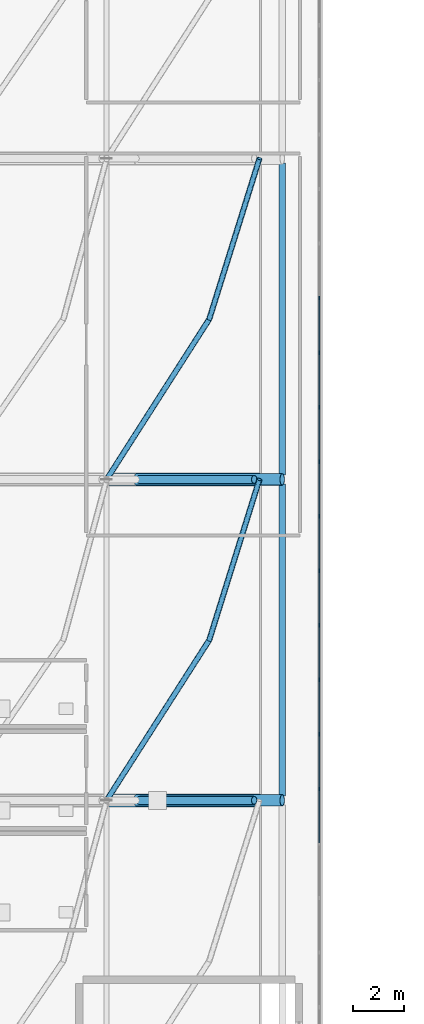
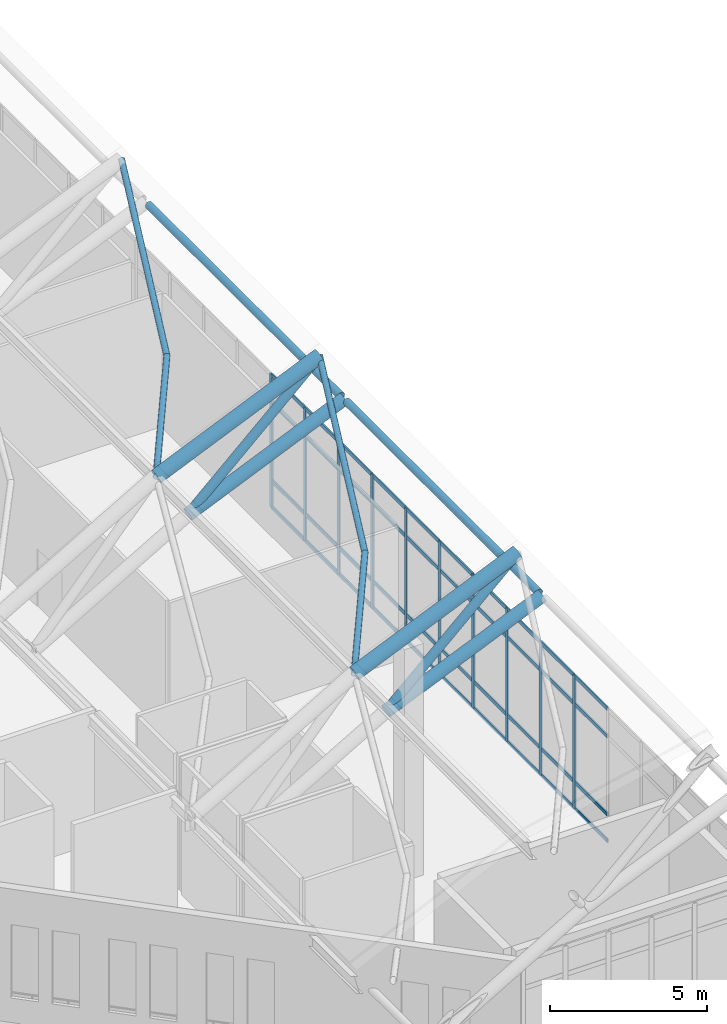
# One storey, part 8 of 42: 62 members, 1 element without a shape of its own.
"""IFC4 building model written with IfcOpenShell, lengths in metres."""

from ifc_helpers import new_model, si_unit, derived_unit, direction, frame, origin, origin_2d, place, context, subcontext, project, spatial, rectangle, hollow_circle, extrude, material, layer, layer_set, material_profile, profile_set, type_object, element, aggregate, save


model = new_model("IFC4")

# Units and contexts
model_context = context("Model", 3, precision=1e-05, world=origin(), true_north=direction((0.0, 1.0)))
body_context = subcontext(model_context, "Body", "Model", "MODEL_VIEW")
ifc_project = project(units=[si_unit("LENGTHUNIT", "METRE"), si_unit("AREAUNIT", "SQUARE_METRE"), si_unit("VOLUMEUNIT", "CUBIC_METRE"), si_unit("PLANEANGLEUNIT", "RADIAN"), si_unit("MASSUNIT", "GRAM", prefix="KILO"), derived_unit("THERMALTRANSMITTANCEUNIT", [(si_unit("MASSUNIT", "GRAM", prefix="KILO"), 1), (si_unit("TIMEUNIT", "SECOND"), -3), (si_unit("THERMODYNAMICTEMPERATUREUNIT", "KELVIN"), -1)])], contexts=[model_context])

# Site, building, storey
site_placement = place(None, origin())
site = spatial("IfcSite", under=ifc_project, at=site_placement, CompositionType="ELEMENT")
building_placement = place(site_placement, origin())
building = spatial("IfcBuilding", under=site, at=building_placement, Name="Valcora Ridge Arena", CompositionType="ELEMENT")
storey_placement = place(building_placement, frame((0.0, 0.0, 26.39990234375)))
storey = spatial("IfcBuildingStorey", under=building, at=storey_placement, Name="L05", CompositionType="ELEMENT", Elevation=26.39990234375)

# Curtain wall, members
ifc_material_1 = material(Name="Anodised dark bronze architectural aluminium 6063-T6", Category="aluminium")
ifc_layer = layer(ifc_material_1, 0.14990234375, Name="Anodised dark bronze architectural aluminium 6063-T6")
ifc_layer_set = layer_set([ifc_layer], Name="Anodised dark bronze architectural aluminium 6063-T6")
curtain_wall_type = type_object("IfcCurtainWallType", Name="TY-CURTAINWALL-CW-V1-SKY-878X52", PredefinedType="NOTDEFINED", material=ifc_layer_set)
curtain_wall_placement = place(storey_placement, origin())
curtain_wall = element("IfcCurtainWall", 1, at=curtain_wall_placement, inside=storey, type_object=curtain_wall_type, Name="CW-V1-SKY-878X52 CW-0171", PredefinedType="NOTDEFINED")
ifc_material_profile_1 = material_profile(ifc_material_1, rectangle(XDim=0.050048828125, YDim=0.14990234375, at=origin_2d()), Name="ALU MULLION 50x150")
ifc_profile_set_1 = profile_set([ifc_material_profile_1], Name="Anodised dark bronze architectural aluminium 6063-T6")
member_type_1 = type_object("IfcMemberType", Name="TY-MEM-CWM-50x150", PredefinedType="MULLION", material=ifc_profile_set_1)
member_1_placement = place(storey_placement, frame((38.35009765625, 33.048828125, 0.0), z_axis=(0.0, 0.0, 1.0), x_axis=(-1.0, 0.0, 0.0)))
member_1 = element("IfcMember", 2, at=member_1_placement, type_object=member_type_1, Name="CW-0171/CWM-50x150/M06", PredefinedType="MULLION", context=body_context, shape_type="SweptSolid", body=[
    extrude(rectangle(XDim=0.050048828125, YDim=0.14990234375, at=origin_2d()), origin(), (0.0, 0.0, 1.0), 5.18017578125),
])
member_2_placement = place(storey_placement, frame((38.35009765625, 35.190185546875, 0.0), z_axis=(0.0, 0.0, 1.0), x_axis=(-1.0, 0.0, 0.0)))
member_2 = element("IfcMember", 3, at=member_2_placement, type_object=member_type_1, Name="CW-0171/CWM-50x150/M07", PredefinedType="MULLION", context=body_context, shape_type="SweptSolid", body=[
    extrude(rectangle(XDim=0.050048828125, YDim=0.14990234375, at=origin_2d()), origin(), (0.0, 0.0, 1.0), 5.18017578125),
])
member_3_placement = place(storey_placement, frame((38.35009765625, 37.331787109375, 0.0), z_axis=(0.0, 0.0, 1.0), x_axis=(-1.0, 0.0, 0.0)))
member_3 = element("IfcMember", 4, at=member_3_placement, type_object=member_type_1, Name="CW-0171/CWM-50x150/M08", PredefinedType="MULLION", context=body_context, shape_type="SweptSolid", body=[
    extrude(rectangle(XDim=0.050048828125, YDim=0.14990234375, at=origin_2d()), origin(), (0.0, 0.0, 1.0), 5.18017578125),
])
member_4_placement = place(storey_placement, frame((38.35009765625, 39.47314453125, 0.0), z_axis=(0.0, 0.0, 1.0), x_axis=(-1.0, 0.0, 0.0)))
member_4 = element("IfcMember", 5, at=member_4_placement, type_object=member_type_1, Name="CW-0171/CWM-50x150/M09", PredefinedType="MULLION", context=body_context, shape_type="SweptSolid", body=[
    extrude(rectangle(XDim=0.050048828125, YDim=0.14990234375, at=origin_2d()), origin(), (0.0, 0.0, 1.0), 5.18017578125),
])
member_5_placement = place(storey_placement, frame((38.35009765625, 41.614501953125, 0.0), z_axis=(0.0, 0.0, 1.0), x_axis=(-1.0, 0.0, 0.0)))
member_5 = element("IfcMember", 6, at=member_5_placement, type_object=member_type_1, Name="CW-0171/CWM-50x150/M10", PredefinedType="MULLION", context=body_context, shape_type="SweptSolid", body=[
    extrude(rectangle(XDim=0.050048828125, YDim=0.14990234375, at=origin_2d()), origin(), (0.0, 0.0, 1.0), 5.18017578125),
])
member_6_placement = place(storey_placement, frame((38.35009765625, 43.756103515625, 0.0), z_axis=(0.0, 0.0, 1.0), x_axis=(-1.0, 0.0, 0.0)))
member_6 = element("IfcMember", 7, at=member_6_placement, type_object=member_type_1, Name="CW-0171/CWM-50x150/M11", PredefinedType="MULLION", context=body_context, shape_type="SweptSolid", body=[
    extrude(rectangle(XDim=0.050048828125, YDim=0.14990234375, at=origin_2d()), origin(), (0.0, 0.0, 1.0), 5.18017578125),
])
member_7_placement = place(storey_placement, frame((38.35009765625, 45.897705078125, 0.0), z_axis=(0.0, 0.0, 1.0), x_axis=(-1.0, 0.0, 0.0)))
member_7 = element("IfcMember", 8, at=member_7_placement, type_object=member_type_1, Name="CW-0171/CWM-50x150/M12", PredefinedType="MULLION", context=body_context, shape_type="SweptSolid", body=[
    extrude(rectangle(XDim=0.050048828125, YDim=0.14990234375, at=origin_2d()), origin(), (0.0, 0.0, 1.0), 5.18017578125),
])
member_8_placement = place(storey_placement, frame((38.35009765625, 48.0390625, 0.0), z_axis=(0.0, 0.0, 1.0), x_axis=(-1.0, 0.0, 0.0)))
member_8 = element("IfcMember", 9, at=member_8_placement, type_object=member_type_1, Name="CW-0171/CWM-50x150/M13", PredefinedType="MULLION", context=body_context, shape_type="SweptSolid", body=[
    extrude(rectangle(XDim=0.050048828125, YDim=0.14990234375, at=origin_2d()), origin(), (0.0, 0.0, 1.0), 5.18017578125),
])
member_9_placement = place(storey_placement, frame((38.35009765625, 50.180419921875, 0.0), z_axis=(0.0, 0.0, 1.0), x_axis=(-1.0, 0.0, 0.0)))
member_9 = element("IfcMember", 10, at=member_9_placement, type_object=member_type_1, Name="CW-0171/CWM-50x150/M14", PredefinedType="MULLION", context=body_context, shape_type="SweptSolid", body=[
    extrude(rectangle(XDim=0.050048828125, YDim=0.14990234375, at=origin_2d()), origin(), (0.0, 0.0, 1.0), 5.18017578125),
])
member_10_placement = place(storey_placement, frame((38.35009765625, 52.322021484375, 0.0), z_axis=(0.0, 0.0, 1.0), x_axis=(-1.0, 0.0, 0.0)))
member_10 = element("IfcMember", 11, at=member_10_placement, type_object=member_type_1, Name="CW-0171/CWM-50x150/M15", PredefinedType="MULLION", context=body_context, shape_type="SweptSolid", body=[
    extrude(rectangle(XDim=0.050048828125, YDim=0.14990234375, at=origin_2d()), origin(), (0.0, 0.0, 1.0), 5.18017578125),
])
ifc_material_profile_2 = material_profile(ifc_material_1, rectangle(XDim=0.050048828125, YDim=0.14990234375, at=origin_2d()), Name="ALU TRANSOM 50x150")
ifc_profile_set_2 = profile_set([ifc_material_profile_2], Name="Anodised dark bronze architectural aluminium 6063-T6")
member_type_2 = type_object("IfcMemberType", Name="TY-MEM-CWT-50x150", PredefinedType="USERDEFINED", material=ifc_profile_set_2)
member_11_placement = place(storey_placement, frame((38.35009765625, 30.931884765625, 0.025146484375), z_axis=(0.0, 1.0, 0.0), x_axis=(-1.0, 0.0, 0.0)))
member_11 = element("IfcMember", 12, at=member_11_placement, type_object=member_type_2, Name="CW-0171/CWT-50x150/T05-00", ObjectType="TRANSOM", PredefinedType="USERDEFINED", context=body_context, shape_type="SweptSolid", body=[
    extrude(rectangle(XDim=0.050048828125, YDim=0.14990234375, at=origin_2d()), origin(), (0.0, 0.0, 1.0), 2.092041015625),
])
member_12_placement = place(storey_placement, frame((38.35009765625, 30.931884765625, 1.050048828125), z_axis=(0.0, 1.0, 0.0), x_axis=(-1.0, 0.0, 0.0)))
member_12 = element("IfcMember", 13, at=member_12_placement, type_object=member_type_2, Name="CW-0171/CWT-50x150/T05-01", ObjectType="TRANSOM", PredefinedType="USERDEFINED", context=body_context, shape_type="SweptSolid", body=[
    extrude(rectangle(XDim=0.050048828125, YDim=0.14990234375, at=origin_2d()), origin(), (0.0, 0.0, 1.0), 2.092041015625),
])
member_13_placement = place(storey_placement, frame((38.35009765625, 30.931884765625, 4.080078125), z_axis=(0.0, 1.0, 0.0), x_axis=(-1.0, 0.0, 0.0)))
member_13 = element("IfcMember", 14, at=member_13_placement, type_object=member_type_2, Name="CW-0171/CWT-50x150/T05-02", ObjectType="TRANSOM", PredefinedType="USERDEFINED", context=body_context, shape_type="SweptSolid", body=[
    extrude(rectangle(XDim=0.050048828125, YDim=0.14990234375, at=origin_2d()), origin(), (0.0, 0.0, 1.0), 2.092041015625),
])
member_14_placement = place(storey_placement, frame((38.35009765625, 30.931884765625, 5.155029296875), z_axis=(0.0, 1.0, 0.0), x_axis=(-1.0, 0.0, 0.0)))
member_14 = element("IfcMember", 15, at=member_14_placement, type_object=member_type_2, Name="CW-0171/CWT-50x150/T05-03", ObjectType="TRANSOM", PredefinedType="USERDEFINED", context=body_context, shape_type="SweptSolid", body=[
    extrude(rectangle(XDim=0.050048828125, YDim=0.14990234375, at=origin_2d()), origin(), (0.0, 0.0, 1.0), 2.092041015625),
])
member_15_placement = place(storey_placement, frame((38.35009765625, 33.073974609375, 0.025146484375), z_axis=(0.0, 1.0, 0.0), x_axis=(-1.0, 0.0, 0.0)))
member_15 = element("IfcMember", 16, at=member_15_placement, type_object=member_type_2, Name="CW-0171/CWT-50x150/T06-00", ObjectType="TRANSOM", PredefinedType="USERDEFINED", context=body_context, shape_type="SweptSolid", body=[
    extrude(rectangle(XDim=0.050048828125, YDim=0.14990234375, at=origin_2d()), origin(), (0.0, 0.0, 1.0), 2.091064453125),
])
member_16_placement = place(storey_placement, frame((38.35009765625, 33.073974609375, 1.050048828125), z_axis=(0.0, 1.0, 0.0), x_axis=(-1.0, 0.0, 0.0)))
member_16 = element("IfcMember", 17, at=member_16_placement, type_object=member_type_2, Name="CW-0171/CWT-50x150/T06-01", ObjectType="TRANSOM", PredefinedType="USERDEFINED", context=body_context, shape_type="SweptSolid", body=[
    extrude(rectangle(XDim=0.050048828125, YDim=0.14990234375, at=origin_2d()), origin(), (0.0, 0.0, 1.0), 2.091064453125),
])
member_17_placement = place(storey_placement, frame((38.35009765625, 33.073974609375, 4.080078125), z_axis=(0.0, 1.0, 0.0), x_axis=(-1.0, 0.0, 0.0)))
member_17 = element("IfcMember", 18, at=member_17_placement, type_object=member_type_2, Name="CW-0171/CWT-50x150/T06-02", ObjectType="TRANSOM", PredefinedType="USERDEFINED", context=body_context, shape_type="SweptSolid", body=[
    extrude(rectangle(XDim=0.050048828125, YDim=0.14990234375, at=origin_2d()), origin(), (0.0, 0.0, 1.0), 2.091064453125),
])
member_18_placement = place(storey_placement, frame((38.35009765625, 33.073974609375, 5.155029296875), z_axis=(0.0, 1.0, 0.0), x_axis=(-1.0, 0.0, 0.0)))
member_18 = element("IfcMember", 19, at=member_18_placement, type_object=member_type_2, Name="CW-0171/CWT-50x150/T06-03", ObjectType="TRANSOM", PredefinedType="USERDEFINED", context=body_context, shape_type="SweptSolid", body=[
    extrude(rectangle(XDim=0.050048828125, YDim=0.14990234375, at=origin_2d()), origin(), (0.0, 0.0, 1.0), 2.091064453125),
])
member_19_placement = place(storey_placement, frame((38.35009765625, 35.215087890625, 0.025146484375), z_axis=(0.0, 1.0, 0.0), x_axis=(-1.0, 0.0, 0.0)))
member_19 = element("IfcMember", 20, at=member_19_placement, type_object=member_type_2, Name="CW-0171/CWT-50x150/T07-00", ObjectType="TRANSOM", PredefinedType="USERDEFINED", context=body_context, shape_type="SweptSolid", body=[
    extrude(rectangle(XDim=0.050048828125, YDim=0.14990234375, at=origin_2d()), origin(), (0.0, 0.0, 1.0), 2.091796875),
])
member_20_placement = place(storey_placement, frame((38.35009765625, 35.215087890625, 1.050048828125), z_axis=(0.0, 1.0, 0.0), x_axis=(-1.0, 0.0, 0.0)))
member_20 = element("IfcMember", 21, at=member_20_placement, type_object=member_type_2, Name="CW-0171/CWT-50x150/T07-01", ObjectType="TRANSOM", PredefinedType="USERDEFINED", context=body_context, shape_type="SweptSolid", body=[
    extrude(rectangle(XDim=0.050048828125, YDim=0.14990234375, at=origin_2d()), origin(), (0.0, 0.0, 1.0), 2.091796875),
])
member_21_placement = place(storey_placement, frame((38.35009765625, 35.215087890625, 4.080078125), z_axis=(0.0, 1.0, 0.0), x_axis=(-1.0, 0.0, 0.0)))
member_21 = element("IfcMember", 22, at=member_21_placement, type_object=member_type_2, Name="CW-0171/CWT-50x150/T07-02", ObjectType="TRANSOM", PredefinedType="USERDEFINED", context=body_context, shape_type="SweptSolid", body=[
    extrude(rectangle(XDim=0.050048828125, YDim=0.14990234375, at=origin_2d()), origin(), (0.0, 0.0, 1.0), 2.091796875),
])
member_22_placement = place(storey_placement, frame((38.35009765625, 35.215087890625, 5.155029296875), z_axis=(0.0, 1.0, 0.0), x_axis=(-1.0, 0.0, 0.0)))
member_22 = element("IfcMember", 23, at=member_22_placement, type_object=member_type_2, Name="CW-0171/CWT-50x150/T07-03", ObjectType="TRANSOM", PredefinedType="USERDEFINED", context=body_context, shape_type="SweptSolid", body=[
    extrude(rectangle(XDim=0.050048828125, YDim=0.14990234375, at=origin_2d()), origin(), (0.0, 0.0, 1.0), 2.091796875),
])
member_23_placement = place(storey_placement, frame((38.35009765625, 37.35693359375, 0.025146484375), z_axis=(0.0, 1.0, 0.0), x_axis=(-1.0, 0.0, 0.0)))
member_23 = element("IfcMember", 24, at=member_23_placement, type_object=member_type_2, Name="CW-0171/CWT-50x150/T08-00", ObjectType="TRANSOM", PredefinedType="USERDEFINED", context=body_context, shape_type="SweptSolid", body=[
    extrude(rectangle(XDim=0.050048828125, YDim=0.14990234375, at=origin_2d()), origin(), (0.0, 0.0, 1.0), 2.091064453125),
])
member_24_placement = place(storey_placement, frame((38.35009765625, 37.35693359375, 1.050048828125), z_axis=(0.0, 1.0, 0.0), x_axis=(-1.0, 0.0, 0.0)))
member_24 = element("IfcMember", 25, at=member_24_placement, type_object=member_type_2, Name="CW-0171/CWT-50x150/T08-01", ObjectType="TRANSOM", PredefinedType="USERDEFINED", context=body_context, shape_type="SweptSolid", body=[
    extrude(rectangle(XDim=0.050048828125, YDim=0.14990234375, at=origin_2d()), origin(), (0.0, 0.0, 1.0), 2.091064453125),
])
member_25_placement = place(storey_placement, frame((38.35009765625, 37.35693359375, 4.080078125), z_axis=(0.0, 1.0, 0.0), x_axis=(-1.0, 0.0, 0.0)))
member_25 = element("IfcMember", 26, at=member_25_placement, type_object=member_type_2, Name="CW-0171/CWT-50x150/T08-02", ObjectType="TRANSOM", PredefinedType="USERDEFINED", context=body_context, shape_type="SweptSolid", body=[
    extrude(rectangle(XDim=0.050048828125, YDim=0.14990234375, at=origin_2d()), origin(), (0.0, 0.0, 1.0), 2.091064453125),
])
member_26_placement = place(storey_placement, frame((38.35009765625, 37.35693359375, 5.155029296875), z_axis=(0.0, 1.0, 0.0), x_axis=(-1.0, 0.0, 0.0)))
member_26 = element("IfcMember", 27, at=member_26_placement, type_object=member_type_2, Name="CW-0171/CWT-50x150/T08-03", ObjectType="TRANSOM", PredefinedType="USERDEFINED", context=body_context, shape_type="SweptSolid", body=[
    extrude(rectangle(XDim=0.050048828125, YDim=0.14990234375, at=origin_2d()), origin(), (0.0, 0.0, 1.0), 2.091064453125),
])
member_27_placement = place(storey_placement, frame((38.35009765625, 39.498046875, 0.025146484375), z_axis=(0.0, 1.0, 0.0), x_axis=(-1.0, 0.0, 0.0)))
member_27 = element("IfcMember", 28, at=member_27_placement, type_object=member_type_2, Name="CW-0171/CWT-50x150/T09-00", ObjectType="TRANSOM", PredefinedType="USERDEFINED", context=body_context, shape_type="SweptSolid", body=[
    extrude(rectangle(XDim=0.050048828125, YDim=0.14990234375, at=origin_2d()), origin(), (0.0, 0.0, 1.0), 2.092041015625),
])
member_28_placement = place(storey_placement, frame((38.35009765625, 39.498046875, 1.050048828125), z_axis=(0.0, 1.0, 0.0), x_axis=(-1.0, 0.0, 0.0)))
member_28 = element("IfcMember", 29, at=member_28_placement, type_object=member_type_2, Name="CW-0171/CWT-50x150/T09-01", ObjectType="TRANSOM", PredefinedType="USERDEFINED", context=body_context, shape_type="SweptSolid", body=[
    extrude(rectangle(XDim=0.050048828125, YDim=0.14990234375, at=origin_2d()), origin(), (0.0, 0.0, 1.0), 2.092041015625),
])
member_29_placement = place(storey_placement, frame((38.35009765625, 39.498046875, 4.080078125), z_axis=(0.0, 1.0, 0.0), x_axis=(-1.0, 0.0, 0.0)))
member_29 = element("IfcMember", 30, at=member_29_placement, type_object=member_type_2, Name="CW-0171/CWT-50x150/T09-02", ObjectType="TRANSOM", PredefinedType="USERDEFINED", context=body_context, shape_type="SweptSolid", body=[
    extrude(rectangle(XDim=0.050048828125, YDim=0.14990234375, at=origin_2d()), origin(), (0.0, 0.0, 1.0), 2.092041015625),
])
member_30_placement = place(storey_placement, frame((38.35009765625, 39.498046875, 5.155029296875), z_axis=(0.0, 1.0, 0.0), x_axis=(-1.0, 0.0, 0.0)))
member_30 = element("IfcMember", 31, at=member_30_placement, type_object=member_type_2, Name="CW-0171/CWT-50x150/T09-03", ObjectType="TRANSOM", PredefinedType="USERDEFINED", context=body_context, shape_type="SweptSolid", body=[
    extrude(rectangle(XDim=0.050048828125, YDim=0.14990234375, at=origin_2d()), origin(), (0.0, 0.0, 1.0), 2.092041015625),
])
member_31_placement = place(storey_placement, frame((38.35009765625, 41.639892578125, 0.025146484375), z_axis=(0.0, 1.0, 0.0), x_axis=(-1.0, 0.0, 0.0)))
member_31 = element("IfcMember", 32, at=member_31_placement, type_object=member_type_2, Name="CW-0171/CWT-50x150/T10-00", ObjectType="TRANSOM", PredefinedType="USERDEFINED", context=body_context, shape_type="SweptSolid", body=[
    extrude(rectangle(XDim=0.050048828125, YDim=0.14990234375, at=origin_2d()), origin(), (0.0, 0.0, 1.0), 2.091064453125),
])
member_32_placement = place(storey_placement, frame((38.35009765625, 41.639892578125, 1.050048828125), z_axis=(0.0, 1.0, 0.0), x_axis=(-1.0, 0.0, 0.0)))
member_32 = element("IfcMember", 33, at=member_32_placement, type_object=member_type_2, Name="CW-0171/CWT-50x150/T10-01", ObjectType="TRANSOM", PredefinedType="USERDEFINED", context=body_context, shape_type="SweptSolid", body=[
    extrude(rectangle(XDim=0.050048828125, YDim=0.14990234375, at=origin_2d()), origin(), (0.0, 0.0, 1.0), 2.091064453125),
])
member_33_placement = place(storey_placement, frame((38.35009765625, 41.639892578125, 4.080078125), z_axis=(0.0, 1.0, 0.0), x_axis=(-1.0, 0.0, 0.0)))
member_33 = element("IfcMember", 34, at=member_33_placement, type_object=member_type_2, Name="CW-0171/CWT-50x150/T10-02", ObjectType="TRANSOM", PredefinedType="USERDEFINED", context=body_context, shape_type="SweptSolid", body=[
    extrude(rectangle(XDim=0.050048828125, YDim=0.14990234375, at=origin_2d()), origin(), (0.0, 0.0, 1.0), 2.091064453125),
])
member_34_placement = place(storey_placement, frame((38.35009765625, 41.639892578125, 5.155029296875), z_axis=(0.0, 1.0, 0.0), x_axis=(-1.0, 0.0, 0.0)))
member_34 = element("IfcMember", 35, at=member_34_placement, type_object=member_type_2, Name="CW-0171/CWT-50x150/T10-03", ObjectType="TRANSOM", PredefinedType="USERDEFINED", context=body_context, shape_type="SweptSolid", body=[
    extrude(rectangle(XDim=0.050048828125, YDim=0.14990234375, at=origin_2d()), origin(), (0.0, 0.0, 1.0), 2.091064453125),
])
member_35_placement = place(storey_placement, frame((38.35009765625, 43.781005859375, 0.025146484375), z_axis=(0.0, 1.0, 0.0), x_axis=(-1.0, 0.0, 0.0)))
member_35 = element("IfcMember", 36, at=member_35_placement, type_object=member_type_2, Name="CW-0171/CWT-50x150/T11-00", ObjectType="TRANSOM", PredefinedType="USERDEFINED", context=body_context, shape_type="SweptSolid", body=[
    extrude(rectangle(XDim=0.050048828125, YDim=0.14990234375, at=origin_2d()), origin(), (0.0, 0.0, 1.0), 2.092041015625),
])
member_36_placement = place(storey_placement, frame((38.35009765625, 43.781005859375, 1.050048828125), z_axis=(0.0, 1.0, 0.0), x_axis=(-1.0, 0.0, 0.0)))
member_36 = element("IfcMember", 37, at=member_36_placement, type_object=member_type_2, Name="CW-0171/CWT-50x150/T11-01", ObjectType="TRANSOM", PredefinedType="USERDEFINED", context=body_context, shape_type="SweptSolid", body=[
    extrude(rectangle(XDim=0.050048828125, YDim=0.14990234375, at=origin_2d()), origin(), (0.0, 0.0, 1.0), 2.092041015625),
])
member_37_placement = place(storey_placement, frame((38.35009765625, 43.781005859375, 4.080078125), z_axis=(0.0, 1.0, 0.0), x_axis=(-1.0, 0.0, 0.0)))
member_37 = element("IfcMember", 38, at=member_37_placement, type_object=member_type_2, Name="CW-0171/CWT-50x150/T11-02", ObjectType="TRANSOM", PredefinedType="USERDEFINED", context=body_context, shape_type="SweptSolid", body=[
    extrude(rectangle(XDim=0.050048828125, YDim=0.14990234375, at=origin_2d()), origin(), (0.0, 0.0, 1.0), 2.092041015625),
])
member_38_placement = place(storey_placement, frame((38.35009765625, 43.781005859375, 5.155029296875), z_axis=(0.0, 1.0, 0.0), x_axis=(-1.0, 0.0, 0.0)))
member_38 = element("IfcMember", 39, at=member_38_placement, type_object=member_type_2, Name="CW-0171/CWT-50x150/T11-03", ObjectType="TRANSOM", PredefinedType="USERDEFINED", context=body_context, shape_type="SweptSolid", body=[
    extrude(rectangle(XDim=0.050048828125, YDim=0.14990234375, at=origin_2d()), origin(), (0.0, 0.0, 1.0), 2.092041015625),
])
member_39_placement = place(storey_placement, frame((38.35009765625, 45.923095703125, 0.025146484375), z_axis=(0.0, 1.0, 0.0), x_axis=(-1.0, 0.0, 0.0)))
member_39 = element("IfcMember", 40, at=member_39_placement, type_object=member_type_2, Name="CW-0171/CWT-50x150/T12-00", ObjectType="TRANSOM", PredefinedType="USERDEFINED", context=body_context, shape_type="SweptSolid", body=[
    extrude(rectangle(XDim=0.050048828125, YDim=0.14990234375, at=origin_2d()), origin(), (0.0, 0.0, 1.0), 2.0908203125),
])
member_40_placement = place(storey_placement, frame((38.35009765625, 45.923095703125, 1.050048828125), z_axis=(0.0, 1.0, 0.0), x_axis=(-1.0, 0.0, 0.0)))
member_40 = element("IfcMember", 41, at=member_40_placement, type_object=member_type_2, Name="CW-0171/CWT-50x150/T12-01", ObjectType="TRANSOM", PredefinedType="USERDEFINED", context=body_context, shape_type="SweptSolid", body=[
    extrude(rectangle(XDim=0.050048828125, YDim=0.14990234375, at=origin_2d()), origin(), (0.0, 0.0, 1.0), 2.0908203125),
])
member_41_placement = place(storey_placement, frame((38.35009765625, 45.923095703125, 4.080078125), z_axis=(0.0, 1.0, 0.0), x_axis=(-1.0, 0.0, 0.0)))
member_41 = element("IfcMember", 42, at=member_41_placement, type_object=member_type_2, Name="CW-0171/CWT-50x150/T12-02", ObjectType="TRANSOM", PredefinedType="USERDEFINED", context=body_context, shape_type="SweptSolid", body=[
    extrude(rectangle(XDim=0.050048828125, YDim=0.14990234375, at=origin_2d()), origin(), (0.0, 0.0, 1.0), 2.0908203125),
])
member_42_placement = place(storey_placement, frame((38.35009765625, 45.923095703125, 5.155029296875), z_axis=(0.0, 1.0, 0.0), x_axis=(-1.0, 0.0, 0.0)))
member_42 = element("IfcMember", 43, at=member_42_placement, type_object=member_type_2, Name="CW-0171/CWT-50x150/T12-03", ObjectType="TRANSOM", PredefinedType="USERDEFINED", context=body_context, shape_type="SweptSolid", body=[
    extrude(rectangle(XDim=0.050048828125, YDim=0.14990234375, at=origin_2d()), origin(), (0.0, 0.0, 1.0), 2.0908203125),
])
member_43_placement = place(storey_placement, frame((38.35009765625, 48.06396484375, 0.025146484375), z_axis=(0.0, 1.0, 0.0), x_axis=(-1.0, 0.0, 0.0)))
member_43 = element("IfcMember", 44, at=member_43_placement, type_object=member_type_2, Name="CW-0171/CWT-50x150/T13-00", ObjectType="TRANSOM", PredefinedType="USERDEFINED", context=body_context, shape_type="SweptSolid", body=[
    extrude(rectangle(XDim=0.050048828125, YDim=0.14990234375, at=origin_2d()), origin(), (0.0, 0.0, 1.0), 2.091064453125),
])
member_44_placement = place(storey_placement, frame((38.35009765625, 48.06396484375, 1.050048828125), z_axis=(0.0, 1.0, 0.0), x_axis=(-1.0, 0.0, 0.0)))
member_44 = element("IfcMember", 45, at=member_44_placement, type_object=member_type_2, Name="CW-0171/CWT-50x150/T13-01", ObjectType="TRANSOM", PredefinedType="USERDEFINED", context=body_context, shape_type="SweptSolid", body=[
    extrude(rectangle(XDim=0.050048828125, YDim=0.14990234375, at=origin_2d()), origin(), (0.0, 0.0, 1.0), 2.091064453125),
])
member_45_placement = place(storey_placement, frame((38.35009765625, 48.06396484375, 4.080078125), z_axis=(0.0, 1.0, 0.0), x_axis=(-1.0, 0.0, 0.0)))
member_45 = element("IfcMember", 46, at=member_45_placement, type_object=member_type_2, Name="CW-0171/CWT-50x150/T13-02", ObjectType="TRANSOM", PredefinedType="USERDEFINED", context=body_context, shape_type="SweptSolid", body=[
    extrude(rectangle(XDim=0.050048828125, YDim=0.14990234375, at=origin_2d()), origin(), (0.0, 0.0, 1.0), 2.091064453125),
])
member_46_placement = place(storey_placement, frame((38.35009765625, 48.06396484375, 5.155029296875), z_axis=(0.0, 1.0, 0.0), x_axis=(-1.0, 0.0, 0.0)))
member_46 = element("IfcMember", 47, at=member_46_placement, type_object=member_type_2, Name="CW-0171/CWT-50x150/T13-03", ObjectType="TRANSOM", PredefinedType="USERDEFINED", context=body_context, shape_type="SweptSolid", body=[
    extrude(rectangle(XDim=0.050048828125, YDim=0.14990234375, at=origin_2d()), origin(), (0.0, 0.0, 1.0), 2.091064453125),
])
member_47_placement = place(storey_placement, frame((38.35009765625, 50.205078125, 0.025146484375), z_axis=(0.0, 1.0, 0.0), x_axis=(-1.0, 0.0, 0.0)))
member_47 = element("IfcMember", 48, at=member_47_placement, type_object=member_type_2, Name="CW-0171/CWT-50x150/T14-00", ObjectType="TRANSOM", PredefinedType="USERDEFINED", context=body_context, shape_type="SweptSolid", body=[
    extrude(rectangle(XDim=0.050048828125, YDim=0.14990234375, at=origin_2d()), origin(), (0.0, 0.0, 1.0), 2.092041015625),
])
member_48_placement = place(storey_placement, frame((38.35009765625, 50.205078125, 1.050048828125), z_axis=(0.0, 1.0, 0.0), x_axis=(-1.0, 0.0, 0.0)))
member_48 = element("IfcMember", 49, at=member_48_placement, type_object=member_type_2, Name="CW-0171/CWT-50x150/T14-01", ObjectType="TRANSOM", PredefinedType="USERDEFINED", context=body_context, shape_type="SweptSolid", body=[
    extrude(rectangle(XDim=0.050048828125, YDim=0.14990234375, at=origin_2d()), origin(), (0.0, 0.0, 1.0), 2.092041015625),
])
member_49_placement = place(storey_placement, frame((38.35009765625, 50.205078125, 4.080078125), z_axis=(0.0, 1.0, 0.0), x_axis=(-1.0, 0.0, 0.0)))
member_49 = element("IfcMember", 50, at=member_49_placement, type_object=member_type_2, Name="CW-0171/CWT-50x150/T14-02", ObjectType="TRANSOM", PredefinedType="USERDEFINED", context=body_context, shape_type="SweptSolid", body=[
    extrude(rectangle(XDim=0.050048828125, YDim=0.14990234375, at=origin_2d()), origin(), (0.0, 0.0, 1.0), 2.092041015625),
])
member_50_placement = place(storey_placement, frame((38.35009765625, 50.205078125, 5.155029296875), z_axis=(0.0, 1.0, 0.0), x_axis=(-1.0, 0.0, 0.0)))
member_50 = element("IfcMember", 51, at=member_50_placement, type_object=member_type_2, Name="CW-0171/CWT-50x150/T14-03", ObjectType="TRANSOM", PredefinedType="USERDEFINED", context=body_context, shape_type="SweptSolid", body=[
    extrude(rectangle(XDim=0.050048828125, YDim=0.14990234375, at=origin_2d()), origin(), (0.0, 0.0, 1.0), 2.092041015625),
])
aggregate(curtain_wall, [member_1, member_2, member_3, member_4, member_5, member_6, member_7, member_8, member_9, member_10, member_11, member_12, member_13, member_14, member_15, member_16, member_17, member_18, member_19, member_20, member_21, member_22, member_23, member_24, member_25, member_26, member_27, member_28, member_29, member_30, member_31, member_32, member_33, member_34, member_35, member_36, member_37, member_38, member_39, member_40, member_41, member_42, member_43, member_44, member_45, member_46, member_47, member_48, member_49, member_50])

# Members
ifc_material_2 = material(Name="Steel ASTM A500 Grade C", Category="steel")
ifc_material_profile_3 = material_profile(ifc_material_2, hollow_circle(Radius=0.228515625, WallThickness=0.01611328125, at=origin_2d()), Name="CHS457X16")
ifc_profile_set_3 = profile_set([ifc_material_profile_3], Name="Steel ASTM A500 Grade C")
member_type_3 = type_object("IfcMemberType", Name="TY-MEMBER-SFBC-457", PredefinedType="CHORD", material=ifc_profile_set_3)
for number, where, z_axis, x_axis, name in (
    (52, (31.1669921875, 32.60009765625, 6.558837890625), (0.917672105435, 0.0, 0.397338529351), (0.0, 1.0, 0.0), "SFBC-457 Space Frame Bottom Chord"),
    (53, (31.1669921875, 45.199951171875, 6.558837890625), (0.917672105435, 0.0, 0.397338529351), (0.0, 1.0, 0.0), "SFBC-457 Space Frame Bottom Chord"),
):
    element("IfcMember", number, at=place(storey_placement, frame(where, z_axis=z_axis, x_axis=x_axis)), inside=storey, type_object=member_type_3, Name=name, PredefinedType="CHORD", context=body_context, shape_type="SweptSolid", body=[
        extrude(hollow_circle(Radius=0.228515625, WallThickness=0.01611328125, at=origin_2d()), origin(), (0.0, 0.0, 1.0), 6.24267578125),
    ])
ifc_material_profile_4 = material_profile(ifc_material_2, hollow_circle(Radius=0.136474609375, WallThickness=0.012451171875, at=origin_2d()), Name="CHS273X12")
ifc_profile_set_4 = profile_set([ifc_material_profile_4], Name="Steel ASTM A500 Grade C")
member_type_4 = type_object("IfcMemberType", Name="TY-MEMBER-SFBT-273", PredefinedType="STRUT", material=ifc_profile_set_4)
member_51_placement = place(storey_placement, frame((36.895751953125, 32.780029296875, 9.039306640625), z_axis=(0.0, 1.0, 0.0), x_axis=(-1.0, 0.0, 0.0)))
element("IfcMember", 54, at=member_51_placement, inside=storey, type_object=member_type_4, Name="SFBT-273 Space Frame Bottom Strut", PredefinedType="STRUT", context=body_context, shape_type="SweptSolid", body=[
    extrude(hollow_circle(Radius=0.136474609375, WallThickness=0.012451171875, at=origin_2d()), origin(), (0.0, 0.0, 1.0), 12.239990234375),
])
member_52_placement = place(storey_placement, frame((36.895751953125, 45.3798828125, 9.039306640625), z_axis=(0.0, 1.0, 0.0), x_axis=(-1.0, 0.0, 0.0)))
element("IfcMember", 55, at=member_52_placement, inside=storey, type_object=member_type_4, Name="SFBT-273 Space Frame Bottom Strut", PredefinedType="STRUT", context=body_context, shape_type="SweptSolid", body=[
    extrude(hollow_circle(Radius=0.136474609375, WallThickness=0.012451171875, at=origin_2d()), origin(), (0.0, 0.0, 1.0), 12.240234375),
])
ifc_material_profile_5 = material_profile(ifc_material_2, hollow_circle(Radius=0.109619140625, WallThickness=0.010009765625, at=origin_2d()), Name="CHS219X10")
ifc_profile_set_5 = profile_set([ifc_material_profile_5], Name="Steel ASTM A500 Grade C")
member_type_5 = type_object("IfcMemberType", Name="TY-MEMBER-SFST-219", PredefinedType="STRUT", material=ifc_profile_set_5)
member_53_placement = place(storey_placement, frame((34.031494140625, 38.89990234375, 7.895751953125), z_axis=(-0.53763681909, -0.840136890922, 0.071530799463), x_axis=(0.842294519769, -0.539017571111, 0.0)))
element("IfcMember", 56, at=member_53_placement, inside=storey, type_object=member_type_5, Name="SFST-219 Space Frame Tie Strut", PredefinedType="STRUT", context=body_context, shape_type="SweptSolid", body=[
    extrude(hollow_circle(Radius=0.109619140625, WallThickness=0.010009765625, at=origin_2d()), origin(), (0.0, 0.0, 1.0), 7.49853515625),
])
member_54_placement = place(storey_placement, frame((34.031494140625, 38.89990234375, 7.895751953125), z_axis=(0.26940738515, 0.862217235992, 0.428953492566), x_axis=(-0.95449116609, 0.298239189001, 0.0)))
element("IfcMember", 57, at=member_54_placement, inside=storey, type_object=member_type_5, Name="SFST-219 Space Frame Tie Strut", PredefinedType="STRUT", context=body_context, shape_type="SweptSolid", body=[
    extrude(hollow_circle(Radius=0.109619140625, WallThickness=0.010009765625, at=origin_2d()), origin(), (0.0, 0.0, 1.0), 7.306884765625),
])
member_55_placement = place(storey_placement, frame((34.031494140625, 51.5, 7.895751953125), z_axis=(-0.537622113153, -0.840146468233, 0.071528842887), x_axis=(0.842304003187, -0.539002751584, 0.0)))
element("IfcMember", 58, at=member_55_placement, inside=storey, type_object=member_type_5, Name="SFST-219 Space Frame Tie Strut", PredefinedType="STRUT", context=body_context, shape_type="SweptSolid", body=[
    extrude(hollow_circle(Radius=0.109619140625, WallThickness=0.010009765625, at=origin_2d()), origin(), (0.0, 0.0, 1.0), 7.498779296875),
])
member_56_placement = place(storey_placement, frame((34.031494140625, 51.5, 7.895751953125), z_axis=(0.26940738515, 0.862217235992, 0.428953492566), x_axis=(-0.95449116609, 0.298239189001, 0.0)))
element("IfcMember", 59, at=member_56_placement, inside=storey, type_object=member_type_5, Name="SFST-219 Space Frame Tie Strut", PredefinedType="STRUT", context=body_context, shape_type="SweptSolid", body=[
    extrude(hollow_circle(Radius=0.109619140625, WallThickness=0.010009765625, at=origin_2d()), origin(), (0.0, 0.0, 1.0), 7.306884765625),
])
ifc_material_profile_6 = material_profile(ifc_material_2, hollow_circle(Radius=0.25390625, WallThickness=0.01611328125, at=origin_2d()), Name="CHS508X16")
ifc_profile_set_6 = profile_set([ifc_material_profile_6], Name="Steel ASTM A500 Grade C")
member_type_6 = type_object("IfcMemberType", Name="TY-MEMBER-SFTC-508", PredefinedType="CHORD", material=ifc_profile_set_6)
for number, where, z_axis, x_axis, name in (
    (60, (30.0, 32.60009765625, 8.43212890625), (0.917672740792, 0.0, 0.397337061961), (0.0, 1.0, 0.0), "SFTC-508 Space Frame Top Chord"),
    (61, (30.0, 45.199951171875, 8.43212890625), (0.917672740792, 0.0, 0.397337061961), (0.0, 1.0, 0.0), "SFTC-508 Space Frame Top Chord"),
):
    element("IfcMember", number, at=place(storey_placement, frame(where, z_axis=z_axis, x_axis=x_axis)), inside=storey, type_object=member_type_6, Name=name, PredefinedType="CHORD", context=body_context, shape_type="SweptSolid", body=[
        extrude(hollow_circle(Radius=0.25390625, WallThickness=0.01611328125, at=origin_2d()), origin(), (0.0, 0.0, 1.0), 6.538330078125),
    ])
ifc_material_profile_7 = material_profile(ifc_material_2, hollow_circle(Radius=0.161865234375, WallThickness=0.012451171875, at=origin_2d()), Name="CHS323X12")
ifc_profile_set_7 = profile_set([ifc_material_profile_7], Name="Steel ASTM A500 Grade C")
member_type_7 = type_object("IfcMemberType", Name="TY-MEMBER-SFWB-323", PredefinedType="BRACE", material=ifc_profile_set_7)
for number, where, z_axis, x_axis, name in (
    (62, (31.284423828125, 32.60009765625, 6.66748046875), (0.734030604976, 0.0, 0.679116389847), (0.0, 1.0, 0.0), "SFWB-323 Space Frame Diagonal Brace"),
    (63, (31.284423828125, 45.199951171875, 6.66748046875), (0.734030604976, 0.0, 0.679116389847), (0.0, 1.0, 0.0), "SFWB-323 Space Frame Diagonal Brace"),
):
    element("IfcMember", number, at=place(storey_placement, frame(where, z_axis=z_axis, x_axis=x_axis)), inside=storey, type_object=member_type_7, Name=name, PredefinedType="BRACE", context=body_context, shape_type="SweptSolid", body=[
        extrude(hollow_circle(Radius=0.161865234375, WallThickness=0.012451171875, at=origin_2d()), origin(), (0.0, 0.0, 1.0), 6.144287109375),
    ])

save(model, "model.ifc")
